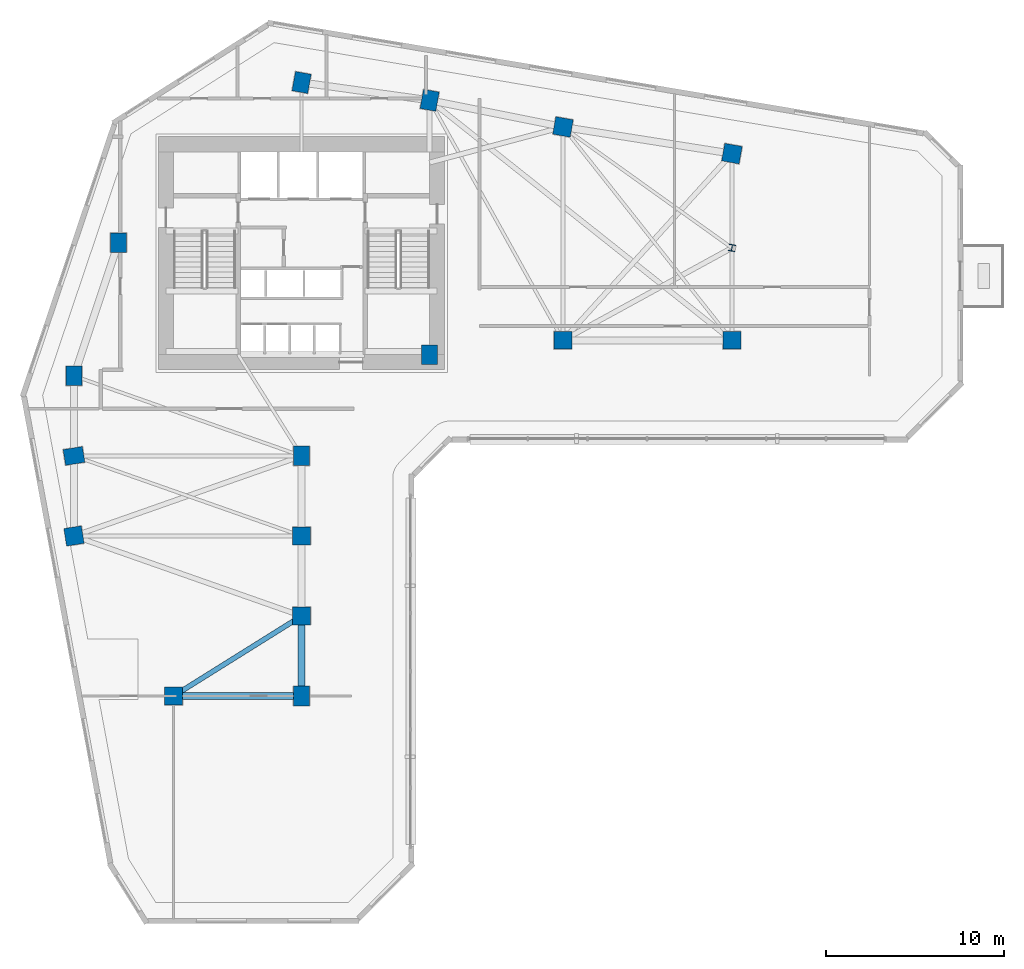
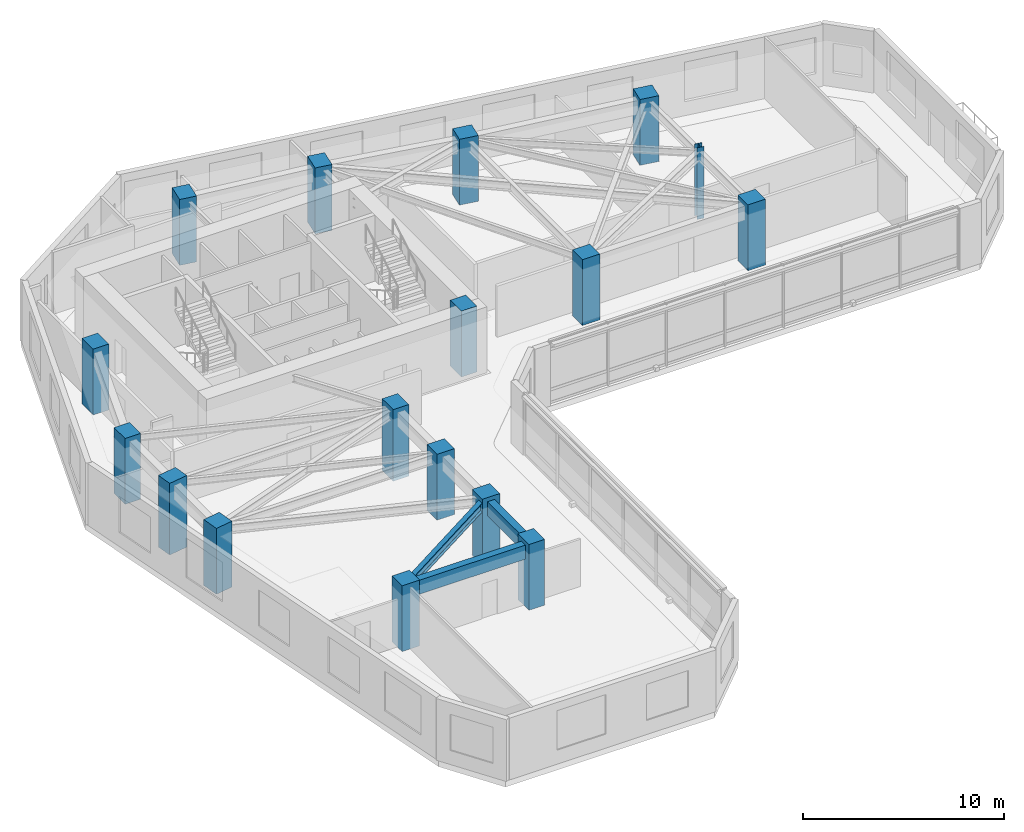
# One storey, part 1 of 11: 17 columns, 3 beams.
"""IFC4 building model written with IfcOpenShell, lengths in metres."""

from ifc_helpers import new_model, si_unit, direction, frame, origin, origin_2d, place, context, subcontext, project, spatial, rectangle, i_section, extrude, source, transform, mapped, material, material_profile, profile_set, type_object, element, save


model = new_model("IFC4")

# Units and contexts
model_context = context("Model", 3, precision=1e-05, world=origin(), true_north=direction((0.0, 1.0)))
body_context = subcontext(model_context, "Body", "Model", "MODEL_VIEW")
ifc_project = project(units=[si_unit("LENGTHUNIT", "METRE"), si_unit("AREAUNIT", "SQUARE_METRE"), si_unit("VOLUMEUNIT", "CUBIC_METRE"), si_unit("PLANEANGLEUNIT", "RADIAN"), si_unit("MASSUNIT", "GRAM", prefix="KILO")], contexts=[model_context])

# Site, building, storey
site_placement = place(None, origin())
site = spatial("IfcSite", under=ifc_project, at=site_placement, CompositionType="ELEMENT")
building_placement = place(site_placement, origin())
building = spatial("IfcBuilding", under=site, at=building_placement, Name="Calvemar Wedge Station Tower", CompositionType="ELEMENT")
storey_placement = place(building_placement, frame((0.0, 0.0, 27.0)))
storey = spatial("IfcBuildingStorey", under=building, at=storey_placement, Name="L06", CompositionType="ELEMENT", Elevation=27.0)

# Columns
ifc_material_1 = material(Name="Concrete C70", Category="concrete")
ifc_material_profile_1 = material_profile(ifc_material_1, rectangle(XDim=0.89990234375, YDim=1.10009765625, at=origin_2d()), Name="RC1100x900")
ifc_profile_set_1 = profile_set([ifc_material_profile_1], Name="Concrete C70")
column_type_1 = type_object("IfcColumnType", Name="COL-C3-1100x900", PredefinedType="COLUMN", material=ifc_profile_set_1)
shared_shape_1 = source(origin(), body_context, "Body", "SweptSolid", [
    extrude(rectangle(XDim=0.89990234375, YDim=1.10009765625, at=origin_2d()), origin(), (0.0, 0.0, 1.0), 4.0),
])
for number, where, z_axis, x_axis, name in (
    (1, (11.0, 33.0, 0.0), (0.0, 0.0, 1.0), (1.0, 0.0, 0.0), "Storey L06 Column T-NW1"),
    (2, (13.5, 40.5, 0.0), (0.0, 0.0, 1.0), (1.0, 0.0, 0.0), "Storey L06 Column T-NW2"),
    (3, (23.800048828125, 49.5, 0.0), (0.0, 0.0, 1.0), (0.984195607969, -0.17708474032, 0.0), "Storey L06 Column T-N1"),
    (4, (31.0, 48.5, 0.0), (0.0, 0.0, 1.0), (0.984195607969, -0.17708474032, 0.0), "Storey L06 Column T-N2"),
    (5, (31.0, 34.199951171875, 0.0), (0.0, 0.0, 1.0), (1.0, 0.0, 0.0), "Storey L06 Column T-NL1"),
    (6, (23.800048828125, 15.0, 0.0), (0.0, 0.0, 1.0), (1.0, 0.0, 0.0), "Storey L06 Column T-SE4"),
):
    element("IfcColumn", number, at=place(storey_placement, frame(where, z_axis=z_axis, x_axis=x_axis)), inside=storey, type_object=column_type_1, Name=name, PredefinedType="COLUMN", context=body_context, shape_type="MappedRepresentation", body=[
        mapped(shared_shape_1, transform((0.0, 0.0, 0.0), scale=1.0)),
    ])
ifc_material_2 = material(Name="Concrete C60", Category="concrete")
ifc_material_profile_2 = material_profile(ifc_material_2, rectangle(XDim=1.0, YDim=1.0, at=origin_2d()), Name="RC1000x1000")
ifc_profile_set_2 = profile_set([ifc_material_profile_2], Name="Concrete C60")
column_type_2 = type_object("IfcColumnType", Name="COL-C4-1000", PredefinedType="COLUMN", material=ifc_profile_set_2)
shared_shape_2 = source(origin(), body_context, "Body", "SweptSolid", [
    extrude(rectangle(XDim=1.0, YDim=1.0, at=origin_2d()), origin(), (0.0, 0.0, 1.0), 4.0),
])
for number, where, z_axis, x_axis, name in (
    (7, (38.5, 47.0, 0.0), (0.0, 0.0, 1.0), (0.984195607969, -0.17708474032, 0.0), "Storey L06 Column T-NU3"),
    (8, (48.0, 45.5, 0.0), (0.0, 0.0, 1.0), (0.984195607969, -0.17708474032, 0.0), "Storey L06 Column T-NU4"),
    (9, (38.5, 35.0, 0.0), (0.0, 0.0, 1.0), (1.0, 0.0, 0.0), "Storey L06 Column T-NL2"),
    (10, (48.0, 35.0, 0.0), (0.0, 0.0, 1.0), (1.0, 0.0, 0.0), "Storey L06 Column T-NL3"),
    (11, (11.0, 24.0, 0.0), (0.0, 0.0, 1.0), (0.158158067254, -0.987413806751, 0.0), "Storey L06 Column T-SW2"),
    (12, (23.800048828125, 24.0, 0.0), (0.0, 0.0, 1.0), (1.0, 0.0, 0.0), "Storey L06 Column T-SE2"),
    (13, (16.60009765625, 15.0, 0.0), (0.0, 0.0, 1.0), (1.0, 0.0, 0.0), "Storey L06 Column T-SM1"),
):
    element("IfcColumn", number, at=place(storey_placement, frame(where, z_axis=z_axis, x_axis=x_axis)), inside=storey, type_object=column_type_2, Name=name, PredefinedType="COLUMN", context=body_context, shape_type="MappedRepresentation", body=[
        mapped(shared_shape_2, transform((0.0, 0.0, 0.0), scale=1.0)),
    ])
ifc_material_3 = material(Name="Structural steel ASTM A572 Grade 50", Category="steel")
ifc_material_profile_3 = material_profile(ifc_material_3, i_section(OverallWidth=0.3740234375, OverallDepth=0.3720703125, WebThickness=0.016357421875, FlangeThickness=0.026123046875, FilletRadius=0.014892578125, at=origin_2d()), Name="W360x196")
ifc_profile_set_3 = profile_set([ifc_material_profile_3], Name="Structural steel ASTM A572 Grade 50")
column_type_3 = type_object("IfcColumnType", Name="COL-STL-W360", PredefinedType="COLUMN", material=ifc_profile_set_3)
shared_shape_3 = source(origin(), body_context, "Body", "SweptSolid", [
    extrude(i_section(OverallWidth=0.3740234375, OverallDepth=0.3720703125, WebThickness=0.016357421875, FlangeThickness=0.026123046875, FilletRadius=0.014892578125, at=origin_2d()), origin(), (0.0, 0.0, 1.0), 4.35009765625),
])
column_1_placement = place(storey_placement, frame((48.0, 40.199951171875, -0.35009765625), z_axis=(0.0, 0.0, 1.0), x_axis=(0.984195607969, -0.17708474032, 0.0)))
element("IfcColumn", 14, at=column_1_placement, inside=storey, type_object=column_type_3, Name="Storey L06 Column T-NTIP-A", PredefinedType="COLUMN", context=body_context, shape_type="MappedRepresentation", body=[
    mapped(shared_shape_3, transform((0.0, 0.0, 0.0), scale=1.0)),
])
shared_shape_4 = source(origin(), body_context, "Body", "SweptSolid", [
    extrude(rectangle(XDim=0.89990234375, YDim=1.10009765625, at=origin_2d()), origin(), (0.0, 0.0, 1.0), 4.35009765625),
])
for number, where, z_axis, x_axis, name in (
    (15, (11.0, 28.5, -0.35009765625), (0.0, 0.0, 1.0), (0.158158067254, -0.987413806751, 0.0), "Storey L06 Column T-SW1"),
    (16, (23.800048828125, 28.5, -0.35009765625), (0.0, 0.0, 1.0), (1.0, 0.0, 0.0), "Storey L06 Column T-SE1"),
):
    element("IfcColumn", number, at=place(storey_placement, frame(where, z_axis=z_axis, x_axis=x_axis)), inside=storey, type_object=column_type_1, Name=name, PredefinedType="COLUMN", context=body_context, shape_type="MappedRepresentation", body=[
        mapped(shared_shape_4, transform((0.0, 0.0, 0.0), scale=1.0)),
    ])
shared_shape_5 = source(origin(), body_context, "Body", "SweptSolid", [
    extrude(rectangle(XDim=1.0, YDim=1.0, at=origin_2d()), origin(), (0.0, 0.0, 1.0), 4.35009765625),
])
column_2_placement = place(storey_placement, frame((23.800048828125, 19.5, -0.35009765625), z_axis=(0.0, 0.0, 1.0), x_axis=(1.0, 0.0, 0.0)))
element("IfcColumn", 17, at=column_2_placement, inside=storey, type_object=column_type_2, Name="Storey L06 Column T-SE3", PredefinedType="COLUMN", context=body_context, shape_type="MappedRepresentation", body=[
    mapped(shared_shape_5, transform((0.0, 0.0, 0.0), scale=1.0)),
])

# Beams
ifc_material_profile_4 = material_profile(ifc_material_2, rectangle(XDim=0.39990234375, YDim=0.85009765625, at=origin_2d()), Name="RC400x850")
ifc_profile_set_4 = profile_set([ifc_material_profile_4], Name="Concrete C60")
beam_type_1 = type_object("IfcBeamType", Name="BM-SP1-850", PredefinedType="SPANDREL", material=ifc_profile_set_4)
shared_shape_6 = source(origin(), body_context, "Body", "SweptSolid", [
    extrude(rectangle(XDim=0.39990234375, YDim=0.85009765625, at=origin_2d()), origin(), (0.0, 0.0, 1.0), 4.5),
])
beam_1_placement = place(storey_placement, frame((23.800048828125, 19.5, 3.324951171875), z_axis=(0.0, -1.0, 0.0), x_axis=(1.0, 0.0, 0.0)))
element("IfcBeam", 18, at=beam_1_placement, inside=storey, type_object=beam_type_1, Name="Storey L06 Spandrel T-SE3-T-SE4", PredefinedType="SPANDREL", context=body_context, shape_type="MappedRepresentation", body=[
    mapped(shared_shape_6, transform((0.0, 0.0, 0.0), scale=1.0)),
])
shared_shape_7 = source(origin(), body_context, "Body", "SweptSolid", [
    extrude(rectangle(XDim=0.39990234375, YDim=0.85009765625, at=origin_2d()), origin(), (0.0, 0.0, 1.0), 7.199951171875),
])
beam_2_placement = place(storey_placement, frame((16.60009765625, 15.0, 3.324951171875), z_axis=(1.0, 0.0, 0.0), x_axis=(0.0, 1.0, 0.0)))
element("IfcBeam", 19, at=beam_2_placement, inside=storey, type_object=beam_type_1, Name="Storey L06 Spandrel T-SM1-T-SE4", PredefinedType="SPANDREL", context=body_context, shape_type="MappedRepresentation", body=[
    mapped(shared_shape_7, transform((0.0, 0.0, 0.0), scale=1.0)),
])
ifc_material_profile_5 = material_profile(ifc_material_3, i_section(OverallWidth=0.279052734375, OverallDepth=0.553955078125, WebThickness=0.017578125, FlangeThickness=0.029541015625, FilletRadius=0.014892578125, at=origin_2d()), Name="W530x196")
ifc_profile_set_5 = profile_set([ifc_material_profile_5], Name="Structural steel ASTM A572 Grade 50")
beam_type_2 = type_object("IfcBeamType", Name="BM-SB3-W530H", PredefinedType="BEAM", material=ifc_profile_set_5)
shared_shape_8 = source(origin(), body_context, "Body", "SweptSolid", [
    extrude(i_section(OverallWidth=0.279052734375, OverallDepth=0.553955078125, WebThickness=0.017578125, FlangeThickness=0.029541015625, FilletRadius=0.014892578125, at=origin_2d()), origin(), (0.0, 0.0, 1.0), 8.490478515625),
])
beam_3_placement = place(storey_placement, frame((23.800048828125, 19.5, 3.472900390625), z_axis=(-0.847996688584, -0.530001524668, 0.0), x_axis=(0.530001524668, -0.847996688584, 0.0)))
element("IfcBeam", 20, at=beam_3_placement, inside=storey, type_object=beam_type_2, Name="Storey L06 Floor Beam T-SE3-T-SM1", PredefinedType="BEAM", context=body_context, shape_type="MappedRepresentation", body=[
    mapped(shared_shape_8, transform((0.0, 0.0, 0.0), scale=1.0)),
])

save(model, "model.ifc")
